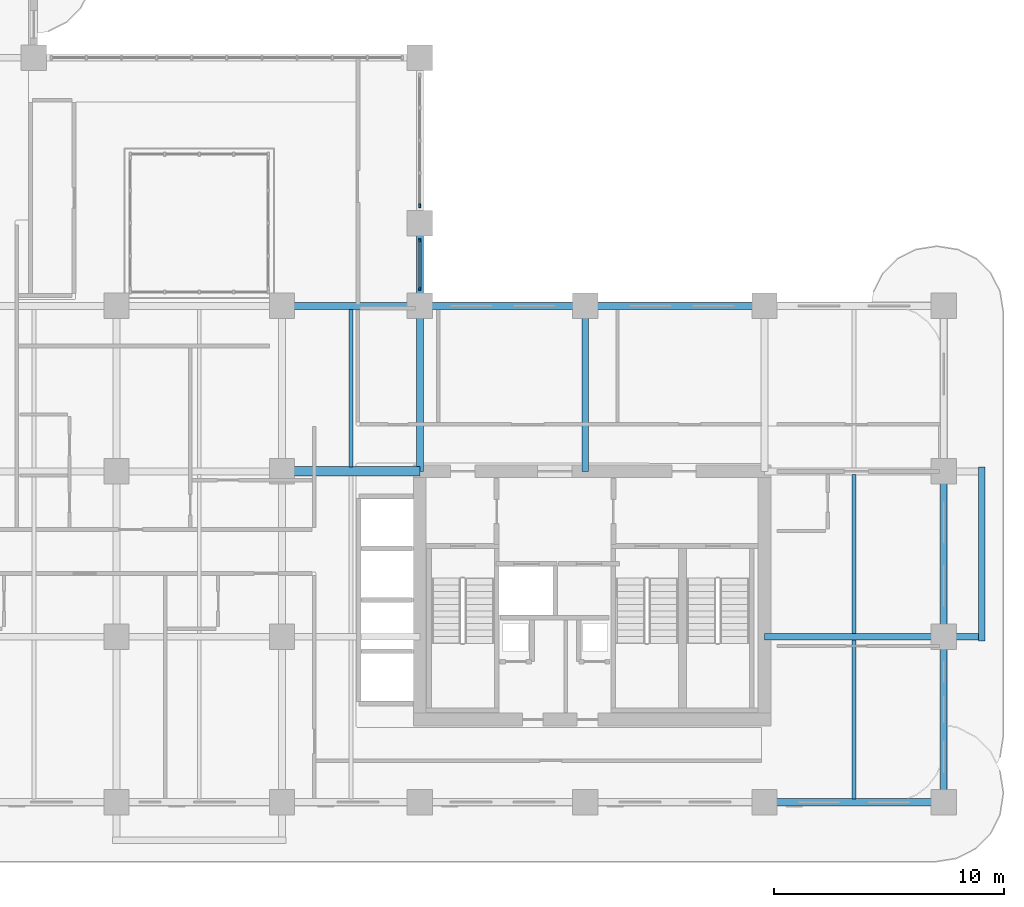
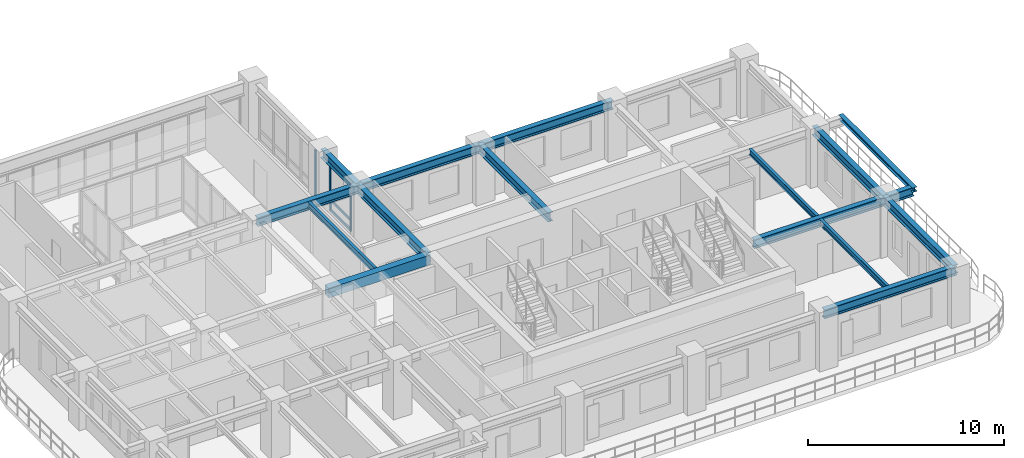
# One storey, part 4 of 22: 15 beams, 6 members, 2 elements without a shape of their own.
"""IFC4 building model written with IfcOpenShell, lengths in metres."""

from ifc_helpers import new_model, si_unit, derived_unit, direction, frame, origin, origin_2d, place, context, subcontext, project, spatial, rectangle, i_section, extrude, source, transform, mapped, material, layer, layer_set, material_profile, profile_set, type_object, type_shapes, element, aggregate, save


model = new_model("IFC4")

# Units and contexts
model_context = context("Model", 3, precision=1e-05, world=origin(), true_north=direction((0.0, 1.0)))
body_context = subcontext(model_context, "Body", "Model", "MODEL_VIEW")
ifc_project = project(units=[si_unit("LENGTHUNIT", "METRE"), si_unit("AREAUNIT", "SQUARE_METRE"), si_unit("VOLUMEUNIT", "CUBIC_METRE"), si_unit("PLANEANGLEUNIT", "RADIAN"), si_unit("MASSUNIT", "GRAM", prefix="KILO"), si_unit("THERMODYNAMICTEMPERATUREUNIT", "KELVIN"), si_unit("POWERUNIT", "WATT"), derived_unit("THERMALTRANSMITTANCEUNIT", [(si_unit("POWERUNIT", "WATT"), 1), (si_unit("AREAUNIT", "SQUARE_METRE"), -1), (si_unit("THERMODYNAMICTEMPERATUREUNIT", "KELVIN"), -1)])], contexts=[model_context])

# Site, building, storey
site_placement = place(None, origin())
site = spatial("IfcSite", under=ifc_project, at=site_placement, CompositionType="ELEMENT")
building_placement = place(site_placement, origin())
building = spatial("IfcBuilding", under=site, at=building_placement, Name="Zahravan Archway Hotel and Residences", CompositionType="ELEMENT")
storey_placement = place(building_placement, frame((0.0, 0.0, 84.199951171875)))
storey = spatial("IfcBuildingStorey", under=building, at=storey_placement, Name="L20", CompositionType="ELEMENT", Elevation=84.199951171875)

# Beams
ifc_material_1 = material(Name="Structural Steel S355JR", Category="steel")
ifc_material_profile_1 = material_profile(ifc_material_1, i_section(OverallWidth=0.280029296875, OverallDepth=0.280029296875, WebThickness=0.010498046875, FlangeThickness=0.01806640625, FilletRadius=0.02392578125, at=origin_2d()), Name="HEB 280", Category="steel")
ifc_profile_set_1 = profile_set([ifc_material_profile_1], Name="Structural Steel S355JR")
beam_type_1 = type_object("IfcBeamType", Name="BM-SPN-HEB280", PredefinedType="SPANDREL", material=ifc_profile_set_1)
shared_shape_1 = source(origin(), body_context, "Body", "SweptSolid", [
    extrude(i_section(OverallWidth=0.280029296875, OverallDepth=0.280029296875, WebThickness=0.010498046875, FlangeThickness=0.01806640625, FilletRadius=0.02392578125, at=origin_2d()), origin(), (0.0, 0.0, 1.0), 7.56005859375),
])
type_shapes(beam_type_1, [shared_shape_1])
beam_1_placement = place(storey_placement, frame((59.25, 7.02001953125, 3.31005859375), z_axis=(0.0, 1.0, 0.0), x_axis=(-1.0, 0.0, 0.0)))
element("IfcBeam", 1, at=beam_1_placement, inside=storey, type_object=beam_type_1, Name="L21 EA Balcony Edge Spandrel", PredefinedType="SPANDREL", context=body_context, shape_type="MappedRepresentation", body=[
    mapped(shared_shape_1, transform((0.0, 0.0, 0.0), scale=1.0)),
])
ifc_material_2 = material(Name="Concrete C60/75", Category="concrete")
ifc_material_profile_2 = material_profile(ifc_material_2, rectangle(XDim=0.39990234375, YDim=0.60009765625, at=origin_2d()), Name="RC-LNT-400x600", Category="concrete")
ifc_profile_set_2 = profile_set([ifc_material_profile_2], Name="Concrete C60/75")
beam_type_2 = type_object("IfcBeamType", Name="LNT-RC-400x600", PredefinedType="LINTEL", material=ifc_profile_set_2)
shared_shape_2 = source(origin(), body_context, "Body", "SweptSolid", [
    extrude(rectangle(XDim=0.39990234375, YDim=0.60009765625, at=origin_2d()), origin(), (0.0, 0.0, 1.0), 6.0),
])
type_shapes(beam_type_2, [shared_shape_2])
beam_2_placement = place(storey_placement, frame((28.800048828125, 14.39990234375, 3.150146484375), z_axis=(1.0, 0.0, 0.0), x_axis=(0.0, 1.0, 0.0)))
element("IfcBeam", 2, at=beam_2_placement, inside=storey, type_object=beam_type_2, Name="L20 Core A Coupling Lintel Beam", PredefinedType="LINTEL", context=body_context, shape_type="MappedRepresentation", body=[
    mapped(shared_shape_2, transform((0.0, 0.0, 0.0), scale=1.0)),
])
ifc_material_profile_3 = material_profile(ifc_material_1, i_section(OverallWidth=0.300048828125, OverallDepth=0.550048828125, WebThickness=0.014892578125, FlangeThickness=0.029052734375, FilletRadius=0.027099609375, at=origin_2d()), Name="HEB 550", Category="steel")
ifc_profile_set_3 = profile_set([ifc_material_profile_3], Name="Structural Steel S355JR")
beam_type_3 = type_object("IfcBeamType", Name="BM-PRI-HEB550", PredefinedType="BEAM", material=ifc_profile_set_3)
shared_shape_3 = source(origin(), body_context, "Body", "SweptSolid", [
    extrude(i_section(OverallWidth=0.300048828125, OverallDepth=0.550048828125, WebThickness=0.014892578125, FlangeThickness=0.029052734375, FilletRadius=0.027099609375, at=origin_2d()), origin(), (0.0, 0.0, 1.0), 7.2001953125),
])
type_shapes(beam_type_3, [shared_shape_3])
for number, where, z_axis, x_axis, name in (
    (3, (34.800048828125, 14.39990234375, 3.175048828125), (0.0, 1.0, 0.0), (-1.0, 0.0, 0.0), "L20 Primary Girder NS-45"),
    (4, (42.0, 14.39990234375, 3.175048828125), (0.0, 1.0, 0.0), (-1.0, 0.0, 0.0), "L20 Primary Girder NS-48"),
):
    element("IfcBeam", number, at=place(storey_placement, frame(where, z_axis=z_axis, x_axis=x_axis)), inside=storey, type_object=beam_type_3, Name=name, PredefinedType="BEAM", context=body_context, shape_type="MappedRepresentation", body=[
        mapped(shared_shape_3, transform((0.0, 0.0, 0.0), scale=1.0)),
    ])
shared_shape_4 = source(origin(), body_context, "Body", "SweptSolid", [
    extrude(i_section(OverallWidth=0.300048828125, OverallDepth=0.550048828125, WebThickness=0.014892578125, FlangeThickness=0.029052734375, FilletRadius=0.027099609375, at=origin_2d()), origin(), (0.0, 0.0, 1.0), 7.199951171875),
])
for number, where, z_axis, x_axis, name in (
    (5, (34.800048828125, 21.60009765625, 3.175048828125), (1.0, 0.0, 0.0), (0.0, 1.0, 0.0), "L20 Primary Girder EW-17"),
    (6, (57.60009765625, 0.0, 3.175048828125), (0.0, 1.0, 0.0), (-1.0, 0.0, 0.0), "L20 Primary Girder NS-50"),
    (7, (57.60009765625, 7.199951171875, 3.175048828125), (0.0, 1.0, 0.0), (-1.0, 0.0, 0.0), "L20 Primary Girder NS-51"),
):
    element("IfcBeam", number, at=place(storey_placement, frame(where, z_axis=z_axis, x_axis=x_axis)), inside=storey, type_object=beam_type_3, Name=name, PredefinedType="BEAM", context=body_context, shape_type="MappedRepresentation", body=[
        mapped(shared_shape_4, transform((0.0, 0.0, 0.0), scale=1.0)),
    ])
shared_shape_5 = source(origin(), body_context, "Body", "SweptSolid", [
    extrude(i_section(OverallWidth=0.300048828125, OverallDepth=0.550048828125, WebThickness=0.014892578125, FlangeThickness=0.029052734375, FilletRadius=0.027099609375, at=origin_2d()), origin(), (0.0, 0.0, 1.0), 6.0),
])
beam_3_placement = place(storey_placement, frame((28.800048828125, 21.60009765625, 3.175048828125), z_axis=(1.0, 0.0, 0.0), x_axis=(0.0, 1.0, 0.0)))
element("IfcBeam", 8, at=beam_3_placement, inside=storey, type_object=beam_type_3, Name="L20 Primary Girder EW-16", PredefinedType="BEAM", context=body_context, shape_type="MappedRepresentation", body=[
    mapped(shared_shape_5, transform((0.0, 0.0, 0.0), scale=1.0)),
])
shared_shape_6 = source(origin(), body_context, "Body", "SweptSolid", [
    extrude(i_section(OverallWidth=0.300048828125, OverallDepth=0.550048828125, WebThickness=0.014892578125, FlangeThickness=0.029052734375, FilletRadius=0.027099609375, at=origin_2d()), origin(), (0.0, 0.0, 1.0), 7.800048828125),
])
for number, where, z_axis, x_axis, name in (
    (9, (49.800048828125, 0.0, 3.175048828125), (1.0, 0.0, 0.0), (0.0, 1.0, 0.0), "L20 Primary Girder EW-06"),
    (10, (42.0, 21.60009765625, 3.175048828125), (1.0, 0.0, 0.0), (0.0, 1.0, 0.0), "L20 Primary Girder EW-18"),
):
    element("IfcBeam", number, at=place(storey_placement, frame(where, z_axis=z_axis, x_axis=x_axis)), inside=storey, type_object=beam_type_3, Name=name, PredefinedType="BEAM", context=body_context, shape_type="MappedRepresentation", body=[
        mapped(shared_shape_6, transform((0.0, 0.0, 0.0), scale=1.0)),
    ])
shared_shape_7 = source(origin(), body_context, "Body", "SweptSolid", [
    extrude(i_section(OverallWidth=0.300048828125, OverallDepth=0.550048828125, WebThickness=0.014892578125, FlangeThickness=0.029052734375, FilletRadius=0.027099609375, at=origin_2d()), origin(), (0.0, 0.0, 1.0), 9.449951171875),
])
beam_4_placement = place(storey_placement, frame((49.800048828125, 7.199951171875, 3.175048828125), z_axis=(1.0, 0.0, 0.0), x_axis=(0.0, 1.0, 0.0)))
element("IfcBeam", 11, at=beam_4_placement, inside=storey, type_object=beam_type_3, Name="L20 Primary Girder EW-10", PredefinedType="BEAM", context=body_context, shape_type="MappedRepresentation", body=[
    mapped(shared_shape_7, transform((0.0, 0.0, 0.0), scale=1.0)),
])
shared_shape_8 = source(origin(), body_context, "Body", "SweptSolid", [
    extrude(i_section(OverallWidth=0.300048828125, OverallDepth=0.550048828125, WebThickness=0.014892578125, FlangeThickness=0.029052734375, FilletRadius=0.027099609375, at=origin_2d()), origin(), (0.0, 0.0, 1.0), 3.599853515625),
])
beam_5_placement = place(storey_placement, frame((34.800048828125, 21.60009765625, 3.175048828125), z_axis=(0.0, 1.0, 0.0), x_axis=(-1.0, 0.0, 0.0)))
element("IfcBeam", 12, at=beam_5_placement, inside=storey, type_object=beam_type_3, Name="L20 Primary Girder NS-46", PredefinedType="BEAM", context=body_context, shape_type="MappedRepresentation", body=[
    mapped(shared_shape_8, transform((0.0, 0.0, 0.0), scale=1.0)),
])
ifc_material_profile_4 = material_profile(ifc_material_1, i_section(OverallWidth=0.169921875, OverallDepth=0.360107421875, WebThickness=0.008056640625, FlangeThickness=0.0126953125, FilletRadius=0.01806640625, at=origin_2d()), Name="IPE 360", Category="steel")
ifc_profile_set_4 = profile_set([ifc_material_profile_4], Name="Structural Steel S355JR")
beam_type_4 = type_object("IfcBeamType", Name="BM-JST-IPE360", PredefinedType="JOIST", material=ifc_profile_set_4)
shared_shape_9 = source(origin(), body_context, "Body", "SweptSolid", [
    extrude(i_section(OverallWidth=0.169921875, OverallDepth=0.360107421875, WebThickness=0.008056640625, FlangeThickness=0.0126953125, FilletRadius=0.01806640625, at=origin_2d()), origin(), (0.0, 0.0, 1.0), 6.904052734375),
])
type_shapes(beam_type_4, [shared_shape_9])
for number, where, z_axis, x_axis, name in (
    (13, (53.699951171875, 0.14794921875, 3.27001953125), (0.0, 1.0, 0.0), (-1.0, 0.0, 0.0), "L20 Composite Floor Joist 04"),
    (14, (53.699951171875, 7.347900390625, 3.27001953125), (0.0, 1.0, 0.0), (-1.0, 0.0, 0.0), "L20 Composite Floor Joist 08"),
):
    element("IfcBeam", number, at=place(storey_placement, frame(where, z_axis=z_axis, x_axis=x_axis)), inside=storey, type_object=beam_type_4, Name=name, PredefinedType="JOIST", context=body_context, shape_type="MappedRepresentation", body=[
        mapped(shared_shape_9, transform((0.0, 0.0, 0.0), scale=1.0)),
    ])
shared_shape_10 = source(origin(), body_context, "Body", "SweptSolid", [
    extrude(i_section(OverallWidth=0.169921875, OverallDepth=0.360107421875, WebThickness=0.008056640625, FlangeThickness=0.0126953125, FilletRadius=0.01806640625, at=origin_2d()), origin(), (0.0, 0.0, 1.0), 6.85400390625),
])
beam_6_placement = place(storey_placement, frame((31.800048828125, 14.597900390625, 3.27001953125), z_axis=(0.0, 1.0, 0.0), x_axis=(-1.0, 0.0, 0.0)))
element("IfcBeam", 15, at=beam_6_placement, inside=storey, type_object=beam_type_4, Name="L20 Composite Floor Joist 09", PredefinedType="JOIST", context=body_context, shape_type="MappedRepresentation", body=[
    mapped(shared_shape_10, transform((0.0, 0.0, 0.0), scale=1.0)),
])

# Curtain wall, members
ifc_material_3 = material(Name="Bronze-Anodized Unitised Aluminium & Low-E Glass", Category="aluminium")
ifc_layer = layer(ifc_material_3, 0.179931640625, Name="Bronze-Anodized Unitised Aluminium & Low-E Glass", Category="aluminium")
ifc_layer_set = layer_set([ifc_layer], Name="Bronze-Anodized Unitised Aluminium & Low-E Glass")
curtain_wall_type = type_object("IfcCurtainWallType", Name="CW-TWR-FEAT", PredefinedType="NOTDEFINED", material=ifc_layer_set)
curtain_wall_1_placement = place(storey_placement, origin())
curtain_wall_1 = element("IfcCurtainWall", 16, at=curtain_wall_1_placement, inside=storey, type_object=curtain_wall_type, Name="L20 Curtain Wall CW-L20-HNG-E-1", PredefinedType="NOTDEFINED")
ifc_material_4 = material(Name="Bronze-Anodized Extruded Aluminium", Category="aluminium")
ifc_material_profile_5 = material_profile(ifc_material_4, rectangle(XDim=0.080078125, YDim=0.159912109375, at=origin_2d()), Name="MUL 80x160", Category="aluminium")
ifc_profile_set_5 = profile_set([ifc_material_profile_5], Name="Bronze-Anodized Extruded Aluminium")
member_type_1 = type_object("IfcMemberType", Name="CWM-MUL-160", PredefinedType="MULLION", material=ifc_profile_set_5)
shared_shape_11 = source(origin(), body_context, "Body", "SweptSolid", [
    extrude(rectangle(XDim=0.080078125, YDim=0.159912109375, at=origin_2d()), origin(), (0.0, 0.0, 1.0), 2.885009765625),
])
member_1_placement = place(storey_placement, frame((34.800048828125, 22.360107421875, 0.0), z_axis=(0.0, 0.0, 1.0), x_axis=(1.0, 0.0, 0.0)))
member_1 = element("IfcMember", 17, at=member_1_placement, type_object=member_type_1, Name="CW-L20-HNG-E-1 Mullion 0", PredefinedType="MULLION", context=body_context, shape_type="MappedRepresentation", body=[
    mapped(shared_shape_11, transform((0.0, 0.0, 0.0), scale=1.0)),
])
member_2_placement = place(storey_placement, frame((34.800048828125, 24.43994140625, 0.0), z_axis=(0.0, 0.0, 1.0), x_axis=(1.0, 0.0, 0.0)))
member_2 = element("IfcMember", 18, at=member_2_placement, type_object=member_type_1, Name="CW-L20-HNG-E-1 Mullion 1", PredefinedType="MULLION", context=body_context, shape_type="MappedRepresentation", body=[
    mapped(shared_shape_11, transform((0.0, 0.0, 0.0), scale=1.0)),
])

# Curtain wall, member
curtain_wall_2_placement = place(storey_placement, origin())
curtain_wall_2 = element("IfcCurtainWall", 19, at=curtain_wall_2_placement, inside=storey, type_object=curtain_wall_type, Name="L20 Curtain Wall CW-L20-HNG-E-2", PredefinedType="NOTDEFINED")
member_3_placement = place(storey_placement, frame((34.800048828125, 25.9599609375, 0.0), z_axis=(0.0, 0.0, 1.0), x_axis=(1.0, 0.0, 0.0)))
member_3 = element("IfcMember", 20, at=member_3_placement, type_object=member_type_1, Name="CW-L20-HNG-E-2 Mullion 0", PredefinedType="MULLION", context=body_context, shape_type="MappedRepresentation", body=[
    mapped(shared_shape_11, transform((0.0, 0.0, 0.0), scale=1.0)),
])
aggregate(curtain_wall_2, [member_3])

# Member
ifc_material_profile_6 = material_profile(ifc_material_4, rectangle(XDim=0.080078125, YDim=0.139892578125, at=origin_2d()), Name="TRN 80x140", Category="aluminium")
ifc_profile_set_6 = profile_set([ifc_material_profile_6], Name="Bronze-Anodized Extruded Aluminium")
member_type_2 = type_object("IfcMemberType", Name="CWM-TRN-140", PredefinedType="USERDEFINED", material=ifc_profile_set_6)
shared_shape_12 = source(origin(), body_context, "Body", "SweptSolid", [
    extrude(rectangle(XDim=0.080078125, YDim=0.139892578125, at=origin_2d()), origin(), (0.0, 0.0, 1.0), 2.0),
])
member_4_placement = place(storey_placement, frame((34.800048828125, 22.39990234375, 0.070068359375), z_axis=(0.0, 1.0, 0.0), x_axis=(-1.0, 0.0, 0.0)))
member_4 = element("IfcMember", 21, at=member_4_placement, type_object=member_type_2, Name="CW-L20-HNG-E-1 Transom 0-1", ObjectType="TRANSOM", PredefinedType="USERDEFINED", context=body_context, shape_type="MappedRepresentation", body=[
    mapped(shared_shape_12, transform((0.0, 0.0, 0.0), scale=1.0)),
])

member_5_placement = place(storey_placement, frame((34.800048828125, 22.39990234375, 0.6923828125), z_axis=(0.0, 1.0, 0.0), x_axis=(-1.0, 0.0, 0.0)))
member_5 = element("IfcMember", 22, at=member_5_placement, type_object=member_type_2, Name="CW-L20-HNG-E-1 Transom 0-2", ObjectType="TRANSOM", PredefinedType="USERDEFINED", context=body_context, shape_type="MappedRepresentation", body=[
    mapped(shared_shape_12, transform((0.0, 0.0, 0.0), scale=1.0)),
])

member_6_placement = place(storey_placement, frame((34.800048828125, 22.39990234375, 2.81494140625), z_axis=(0.0, 1.0, 0.0), x_axis=(-1.0, 0.0, 0.0)))
member_6 = element("IfcMember", 23, at=member_6_placement, type_object=member_type_2, Name="CW-L20-HNG-E-1 Transom 0-3", ObjectType="TRANSOM", PredefinedType="USERDEFINED", context=body_context, shape_type="MappedRepresentation", body=[
    mapped(shared_shape_12, transform((0.0, 0.0, 0.0), scale=1.0)),
])

aggregate(curtain_wall_1, [member_1, member_2, member_4, member_5, member_6])

save(model, "model.ifc")
